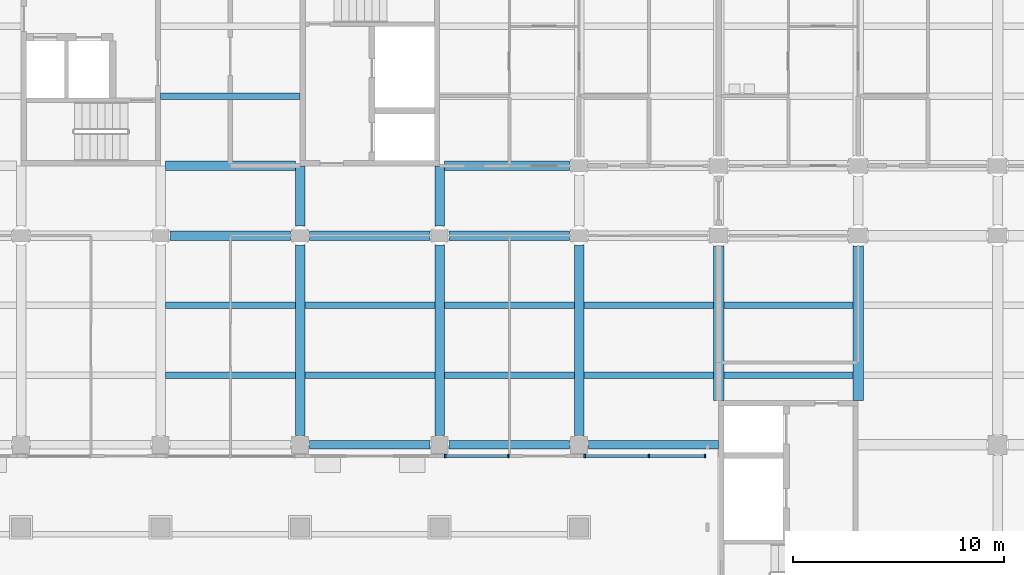
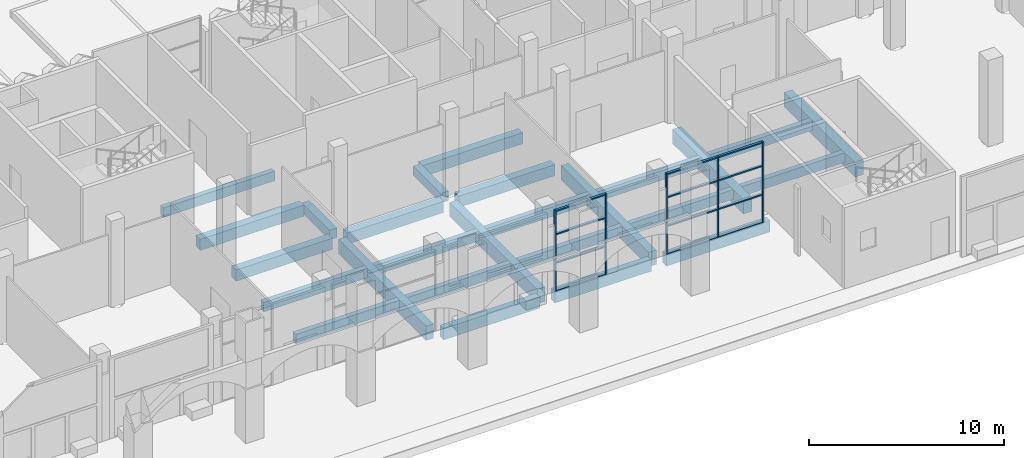
# One storey, part 4 of 85: 26 beams, 17 members, 2 elements without a shape of their own.
"""IFC4 building model written with IfcOpenShell, lengths in metres."""

from ifc_helpers import new_model, si_unit, direction, frame, origin, origin_2d, place, context, subcontext, project, spatial, rectangle, extrude, material, material_profile, profile_set, type_object, element, aggregate, save


model = new_model("IFC4")

# Units and contexts
model_context = context("Model", 3, precision=1e-05, world=origin(), true_north=direction((0.0, 1.0)))
body_context = subcontext(model_context, "Body", "Model", "MODEL_VIEW")
ifc_project = project(units=[si_unit("LENGTHUNIT", "METRE"), si_unit("AREAUNIT", "SQUARE_METRE"), si_unit("VOLUMEUNIT", "CUBIC_METRE"), si_unit("PLANEANGLEUNIT", "RADIAN"), si_unit("MASSUNIT", "GRAM", prefix="KILO")], contexts=[model_context])

# Site, building, storey
site_placement = place(None, origin())
site = spatial("IfcSite", under=ifc_project, at=site_placement, CompositionType="ELEMENT")
building_placement = place(site_placement, origin())
building = spatial("IfcBuilding", under=site, at=building_placement, Name="Lantern Court Research Institute", CompositionType="ELEMENT")
storey_placement = place(building_placement, origin())
storey = spatial("IfcBuildingStorey", under=building, at=storey_placement, Name="L00", CompositionType="ELEMENT", Elevation=0.0)

# Curtain wall, members
ifc_material_1 = material(Name="Aluminium alloy 6063-T6", Category="aluminium")
curtain_wall_type_1 = type_object("IfcCurtainWallType", Name="Curtain wall 3075 x 5100 x 150 aluminium frame", PredefinedType="NOTDEFINED", material=ifc_material_1)
curtain_wall_1_placement = place(storey_placement, origin())
curtain_wall_1 = element("IfcCurtainWall", 1, at=curtain_wall_1_placement, inside=storey, type_object=curtain_wall_type_1, Name="Curtain wall CW011", PredefinedType="NOTDEFINED")
ifc_material_2 = material(Name="Aluminium alloy 6063-T6", Category="aluminium")
ifc_material_profile_1 = material_profile(ifc_material_2, rectangle(XDim=0.14990234375, YDim=0.080078125, at=origin_2d()), Name="Mullion 150 x 80")
ifc_profile_set_1 = profile_set([ifc_material_profile_1], Name="Aluminium alloy 6063-T6")
member_type_1 = type_object("IfcMemberType", Name="Mullion 150 x 80 aluminium", PredefinedType="MULLION", material=ifc_profile_set_1)
member_1_placement = place(storey_placement, frame((39.864990234375, -0.52490234375, 0.0), z_axis=(0.0, 0.0, 1.0), x_axis=(0.0, -1.0, 0.0)))
member_1 = element("IfcMember", 2, at=member_1_placement, type_object=member_type_1, Name="CW011 mullion 1", PredefinedType="MULLION", context=body_context, shape_type="SweptSolid", body=[
    extrude(rectangle(XDim=0.14990234375, YDim=0.080078125, at=origin_2d()), origin(), (0.0, 0.0, 1.0), 5.10009765625),
])
member_2_placement = place(storey_placement, frame((42.860107421875, -0.52490234375, 0.0), z_axis=(0.0, 0.0, 1.0), x_axis=(0.0, -1.0, 0.0)))
member_2 = element("IfcMember", 3, at=member_2_placement, type_object=member_type_1, Name="CW011 mullion 2", PredefinedType="MULLION", context=body_context, shape_type="SweptSolid", body=[
    extrude(rectangle(XDim=0.14990234375, YDim=0.080078125, at=origin_2d()), origin(), (0.0, 0.0, 1.0), 5.10009765625),
])

ifc_material_3 = material(Name="Aluminium alloy 6063-T6", Category="aluminium")
curtain_wall_type_2 = type_object("IfcCurtainWallType", Name="Curtain wall 5775 x 5100 x 150 aluminium frame", PredefinedType="NOTDEFINED", material=ifc_material_3)
curtain_wall_2_placement = place(storey_placement, origin())
curtain_wall_2 = element("IfcCurtainWall", 4, at=curtain_wall_2_placement, inside=storey, type_object=curtain_wall_type_2, Name="Curtain wall CW012", PredefinedType="NOTDEFINED")
member_3_placement = place(storey_placement, frame((46.465087890625, -0.52490234375, 0.0), z_axis=(0.0, 0.0, 1.0), x_axis=(0.0, -1.0, 0.0)))
member_3 = element("IfcMember", 5, at=member_3_placement, type_object=member_type_1, Name="CW012 mullion 1", PredefinedType="MULLION", context=body_context, shape_type="SweptSolid", body=[
    extrude(rectangle(XDim=0.14990234375, YDim=0.080078125, at=origin_2d()), origin(), (0.0, 0.0, 1.0), 5.10009765625),
])
member_4_placement = place(storey_placement, frame((49.5, -0.52490234375, 0.0), z_axis=(0.0, 0.0, 1.0), x_axis=(0.0, -1.0, 0.0)))
member_4 = element("IfcMember", 6, at=member_4_placement, type_object=member_type_1, Name="CW012 mullion 2", PredefinedType="MULLION", context=body_context, shape_type="SweptSolid", body=[
    extrude(rectangle(XDim=0.14990234375, YDim=0.080078125, at=origin_2d()), origin(), (0.0, 0.0, 1.0), 5.10009765625),
])
member_5_placement = place(storey_placement, frame((52.159912109375, -0.52490234375, 0.0), z_axis=(0.0, 0.0, 1.0), x_axis=(0.0, -1.0, 0.0)))
member_5 = element("IfcMember", 7, at=member_5_placement, type_object=member_type_1, Name="CW012 mullion 3", PredefinedType="MULLION", context=body_context, shape_type="SweptSolid", body=[
    extrude(rectangle(XDim=0.14990234375, YDim=0.080078125, at=origin_2d()), origin(), (0.0, 0.0, 1.0), 5.10009765625),
])

# Beams
ifc_material_4 = material(Name="Concrete C40/50", Category="concrete")
ifc_material_profile_2 = material_profile(ifc_material_4, rectangle(XDim=0.449951171875, YDim=0.699951171875, at=origin_2d()), Name="RC beam 450 x 700")
ifc_profile_set_2 = profile_set([ifc_material_profile_2], Name="Concrete C40/50")
beam_type_1 = type_object("IfcBeamType", Name="RC beam 450 x 700", PredefinedType="BEAM", material=ifc_profile_set_2)
for number, where, z_axis, x_axis, name in (
    (8, (26.85009765625, 9.89990234375, -0.64990234375), (1.0, 0.0, 0.0), (0.0, 1.0, 0.0), "Beam L00 grid B/5-6"),
    (9, (33.449951171875, 9.89990234375, -0.64990234375), (1.0, 0.0, 0.0), (0.0, 1.0, 0.0), "Beam L00 grid B/6-7"),
    (10, (40.050048828125, 9.89990234375, -0.64990234375), (1.0, 0.0, 0.0), (0.0, 1.0, 0.0), "Beam L00 grid B/7-8"),
):
    element("IfcBeam", number, at=place(storey_placement, frame(where, z_axis=z_axis, x_axis=x_axis)), inside=storey, type_object=beam_type_1, Name=name, PredefinedType="BEAM", context=body_context, shape_type="SweptSolid", body=[
        extrude(rectangle(XDim=0.449951171875, YDim=0.699951171875, at=origin_2d()), origin(), (0.0, 0.0, 1.0), 5.699951171875),
    ])
beam_1_placement = place(storey_placement, frame((26.625, 13.199951171875, -0.64990234375), z_axis=(1.0, 0.0, 0.0), x_axis=(0.0, 1.0, 0.0)))
element("IfcBeam", 11, at=beam_1_placement, inside=storey, type_object=beam_type_1, Name="Beam L00 grid C/5-6", PredefinedType="BEAM", context=body_context, shape_type="SweptSolid", body=[
    extrude(rectangle(XDim=0.449951171875, YDim=0.699951171875, at=origin_2d()), origin(), (0.0, 0.0, 1.0), 6.14990234375),
])
beam_2_placement = place(storey_placement, frame((39.824951171875, 13.199951171875, -0.64990234375), z_axis=(1.0, 0.0, 0.0), x_axis=(0.0, 1.0, 0.0)))
element("IfcBeam", 12, at=beam_2_placement, inside=storey, type_object=beam_type_1, Name="Beam L00 grid C/7-8", PredefinedType="BEAM", context=body_context, shape_type="SweptSolid", body=[
    extrude(rectangle(XDim=0.449951171875, YDim=0.699951171875, at=origin_2d()), origin(), (0.0, 0.0, 1.0), 5.925048828125),
])
ifc_material_5 = material(Name="Concrete C40/50", Category="concrete")
ifc_material_profile_3 = material_profile(ifc_material_5, rectangle(XDim=0.39990234375, YDim=0.699951171875, at=origin_2d()), Name="RC beam 400 x 700")
ifc_profile_set_3 = profile_set([ifc_material_profile_3], Name="Concrete C40/50")
beam_type_2 = type_object("IfcBeamType", Name="RC edge beam 400 x 700", PredefinedType="BEAM", material=ifc_profile_set_3)
for number, where, z_axis, x_axis, name in (
    (13, (33.449951171875, 0.0, -0.64990234375), (1.0, 0.0, 0.0), (0.0, 1.0, 0.0), "Edge beam L00 grid A/6-7"),
    (14, (40.050048828125, 0.0, -0.64990234375), (1.0, 0.0, 0.0), (0.0, 1.0, 0.0), "Edge beam L00 grid A/7-8"),
):
    element("IfcBeam", number, at=place(storey_placement, frame(where, z_axis=z_axis, x_axis=x_axis)), inside=storey, type_object=beam_type_2, Name=name, PredefinedType="BEAM", context=body_context, shape_type="SweptSolid", body=[
        extrude(rectangle(XDim=0.39990234375, YDim=0.699951171875, at=origin_2d()), origin(), (0.0, 0.0, 1.0), 5.699951171875),
    ])
beam_3_placement = place(storey_placement, frame((46.64990234375, 0.0, -0.64990234375), z_axis=(1.0, 0.0, 0.0), x_axis=(0.0, 1.0, 0.0)))
element("IfcBeam", 15, at=beam_3_placement, inside=storey, type_object=beam_type_2, Name="Edge beam L00 grid A/8-9", PredefinedType="BEAM", context=body_context, shape_type="SweptSolid", body=[
    extrude(rectangle(XDim=0.39990234375, YDim=0.699951171875, at=origin_2d()), origin(), (0.0, 0.0, 1.0), 6.150146484375),
])
ifc_material_6 = material(Name="Concrete C40/50", Category="concrete")
ifc_material_profile_4 = material_profile(ifc_material_6, rectangle(XDim=0.449951171875, YDim=0.89990234375, at=origin_2d()), Name="RC beam 450 x 900")
ifc_profile_set_4 = profile_set([ifc_material_profile_4], Name="Concrete C40/50")
beam_type_3 = type_object("IfcBeamType", Name="RC girder 450 x 900", PredefinedType="BEAM", material=ifc_profile_set_4)
for number, where, z_axis, x_axis, name in (
    (16, (33.0, 0.449951171875, -0.75), (0.0, 1.0, 0.0), (-1.0, 0.0, 0.0), "Girder L00 grid 6/A-B"),
    (17, (39.60009765625, 0.449951171875, -0.75), (0.0, 1.0, 0.0), (-1.0, 0.0, 0.0), "Girder L00 grid 7/A-B"),
    (18, (46.199951171875, 0.449951171875, -0.75), (0.0, 1.0, 0.0), (-1.0, 0.0, 0.0), "Girder L00 grid 8/A-B"),
):
    element("IfcBeam", number, at=place(storey_placement, frame(where, z_axis=z_axis, x_axis=x_axis)), inside=storey, type_object=beam_type_3, Name=name, PredefinedType="BEAM", context=body_context, shape_type="SweptSolid", body=[
        extrude(rectangle(XDim=0.449951171875, YDim=0.89990234375, at=origin_2d()), origin(), (0.0, 0.0, 1.0), 9.0),
    ])
ifc_material_7 = material(Name="Concrete C40/50", Category="concrete")
ifc_material_profile_5 = material_profile(ifc_material_7, rectangle(XDim=0.5, YDim=0.89990234375, at=origin_2d()), Name="RC beam 500 x 900")
ifc_profile_set_5 = profile_set([ifc_material_profile_5], Name="Concrete C40/50")
beam_type_4 = type_object("IfcBeamType", Name="RC girder 500 x 900", PredefinedType="BEAM", material=ifc_profile_set_5)
for number, where, z_axis, x_axis, name in (
    (19, (52.800048828125, 2.10009765625, -0.75), (0.0, 1.0, 0.0), (-1.0, 0.0, 0.0), "Girder L00 grid 9/A-B"),
    (20, (59.39990234375, 2.10009765625, -0.75), (0.0, 1.0, 0.0), (-1.0, 0.0, 0.0), "Girder L00 grid 10/A-B"),
):
    element("IfcBeam", number, at=place(storey_placement, frame(where, z_axis=z_axis, x_axis=x_axis)), inside=storey, type_object=beam_type_4, Name=name, PredefinedType="BEAM", context=body_context, shape_type="SweptSolid", body=[
        extrude(rectangle(XDim=0.5, YDim=0.89990234375, at=origin_2d()), origin(), (0.0, 0.0, 1.0), 7.2998046875),
    ])
ifc_material_8 = material(Name="Concrete C40/50", Category="concrete")
ifc_material_profile_6 = material_profile(ifc_material_8, rectangle(XDim=0.300048828125, YDim=0.60009765625, at=origin_2d()), Name="RC beam 300 x 600")
ifc_profile_set_6 = profile_set([ifc_material_profile_6], Name="Concrete C40/50")
beam_type_5 = type_object("IfcBeamType", Name="RC secondary beam 300 x 600", PredefinedType="BEAM", material=ifc_profile_set_6)
for number, where, z_axis, x_axis, name in (
    (21, (26.625, 3.300048828125, -0.60009765625), (1.0, 0.0, 0.0), (0.0, 1.0, 0.0), "Secondary beam L00 grids 5-6 / A-B, line 1"),
    (22, (33.22509765625, 3.300048828125, -0.60009765625), (1.0, 0.0, 0.0), (0.0, 1.0, 0.0), "Secondary beam L00 grids 6-7 / A-B, line 1"),
):
    element("IfcBeam", number, at=place(storey_placement, frame(where, z_axis=z_axis, x_axis=x_axis)), inside=storey, type_object=beam_type_5, Name=name, PredefinedType="BEAM", context=body_context, shape_type="SweptSolid", body=[
        extrude(rectangle(XDim=0.300048828125, YDim=0.60009765625, at=origin_2d()), origin(), (0.0, 0.0, 1.0), 6.14990234375),
    ])
beam_4_placement = place(storey_placement, frame((39.824951171875, 3.300048828125, -0.60009765625), z_axis=(1.0, 0.0, 0.0), x_axis=(0.0, 1.0, 0.0)))
element("IfcBeam", 23, at=beam_4_placement, inside=storey, type_object=beam_type_5, Name="Secondary beam L00 grids 7-8 / A-B, line 1", PredefinedType="BEAM", context=body_context, shape_type="SweptSolid", body=[
    extrude(rectangle(XDim=0.300048828125, YDim=0.60009765625, at=origin_2d()), origin(), (0.0, 0.0, 1.0), 6.150146484375),
])
beam_5_placement = place(storey_placement, frame((46.425048828125, 3.300048828125, -0.60009765625), z_axis=(1.0, 0.0, 0.0), x_axis=(0.0, 1.0, 0.0)))
element("IfcBeam", 24, at=beam_5_placement, inside=storey, type_object=beam_type_5, Name="Secondary beam L00 grids 8-9 / A-B, line 1", PredefinedType="BEAM", context=body_context, shape_type="SweptSolid", body=[
    extrude(rectangle(XDim=0.300048828125, YDim=0.60009765625, at=origin_2d()), origin(), (0.0, 0.0, 1.0), 6.125),
])
for number, where, z_axis, x_axis, name in (
    (25, (26.625, 6.60009765625, -0.60009765625), (1.0, 0.0, 0.0), (0.0, 1.0, 0.0), "Secondary beam L00 grids 5-6 / A-B, line 2"),
    (26, (33.22509765625, 6.60009765625, -0.60009765625), (1.0, 0.0, 0.0), (0.0, 1.0, 0.0), "Secondary beam L00 grids 6-7 / A-B, line 2"),
):
    element("IfcBeam", number, at=place(storey_placement, frame(where, z_axis=z_axis, x_axis=x_axis)), inside=storey, type_object=beam_type_5, Name=name, PredefinedType="BEAM", context=body_context, shape_type="SweptSolid", body=[
        extrude(rectangle(XDim=0.300048828125, YDim=0.60009765625, at=origin_2d()), origin(), (0.0, 0.0, 1.0), 6.14990234375),
    ])
beam_6_placement = place(storey_placement, frame((39.824951171875, 6.60009765625, -0.60009765625), z_axis=(1.0, 0.0, 0.0), x_axis=(0.0, 1.0, 0.0)))
element("IfcBeam", 27, at=beam_6_placement, inside=storey, type_object=beam_type_5, Name="Secondary beam L00 grids 7-8 / A-B, line 2", PredefinedType="BEAM", context=body_context, shape_type="SweptSolid", body=[
    extrude(rectangle(XDim=0.300048828125, YDim=0.60009765625, at=origin_2d()), origin(), (0.0, 0.0, 1.0), 6.150146484375),
])
beam_7_placement = place(storey_placement, frame((46.425048828125, 6.60009765625, -0.60009765625), z_axis=(1.0, 0.0, 0.0), x_axis=(0.0, 1.0, 0.0)))
element("IfcBeam", 28, at=beam_7_placement, inside=storey, type_object=beam_type_5, Name="Secondary beam L00 grids 8-9 / A-B, line 2", PredefinedType="BEAM", context=body_context, shape_type="SweptSolid", body=[
    extrude(rectangle(XDim=0.300048828125, YDim=0.60009765625, at=origin_2d()), origin(), (0.0, 0.0, 1.0), 6.125),
])
beam_8_placement = place(storey_placement, frame((26.39990234375, 16.5, -0.60009765625), z_axis=(1.0, 0.0, 0.0), x_axis=(0.0, 1.0, 0.0)))
element("IfcBeam", 29, at=beam_8_placement, inside=storey, type_object=beam_type_5, Name="Secondary beam L00 grids 5-6 / C-D, line 1", PredefinedType="BEAM", context=body_context, shape_type="SweptSolid", body=[
    extrude(rectangle(XDim=0.300048828125, YDim=0.60009765625, at=origin_2d()), origin(), (0.0, 0.0, 1.0), 6.60009765625),
])
for number, where, z_axis, x_axis, name in (
    (30, (53.050048828125, 3.300048828125, -0.60009765625), (1.0, 0.0, 0.0), (0.0, 1.0, 0.0), "Secondary beam L00 grids 9-10 / A-B, line 1"),
    (31, (53.050048828125, 6.60009765625, -0.60009765625), (1.0, 0.0, 0.0), (0.0, 1.0, 0.0), "Secondary beam L00 grids 9-10 / A-B, line 2"),
):
    element("IfcBeam", number, at=place(storey_placement, frame(where, z_axis=z_axis, x_axis=x_axis)), inside=storey, type_object=beam_type_5, Name=name, PredefinedType="BEAM", context=body_context, shape_type="SweptSolid", body=[
        extrude(rectangle(XDim=0.300048828125, YDim=0.60009765625, at=origin_2d()), origin(), (0.0, 0.0, 1.0), 6.099853515625),
    ])
ifc_material_9 = material(Name="Concrete C40/50", Category="concrete")
ifc_material_profile_7 = material_profile(ifc_material_9, rectangle(XDim=0.449951171875, YDim=0.60009765625, at=origin_2d()), Name="RC beam 450 x 600")
ifc_profile_set_7 = profile_set([ifc_material_profile_7], Name="Concrete C40/50")
beam_type_6 = type_object("IfcBeamType", Name="RC spine beam 450 x 600", PredefinedType="BEAM", material=ifc_profile_set_7)
for number, where, z_axis, x_axis, name in (
    (32, (33.0, 10.35009765625, -0.60009765625), (0.0, 1.0, 0.0), (-1.0, 0.0, 0.0), "Beam L00 grid 6/B-C"),
    (33, (39.60009765625, 10.35009765625, -0.60009765625), (0.0, 1.0, 0.0), (-1.0, 0.0, 0.0), "Beam L00 grid 7/B-C"),
):
    element("IfcBeam", number, at=place(storey_placement, frame(where, z_axis=z_axis, x_axis=x_axis)), inside=storey, type_object=beam_type_6, Name=name, PredefinedType="BEAM", context=body_context, shape_type="SweptSolid", body=[
        extrude(rectangle(XDim=0.449951171875, YDim=0.60009765625, at=origin_2d()), origin(), (0.0, 0.0, 1.0), 2.849853515625),
    ])

# Member
ifc_material_10 = material(Name="Aluminium alloy 6063-T6", Category="aluminium")
ifc_material_profile_8 = material_profile(ifc_material_10, rectangle(XDim=0.14990234375, YDim=0.080078125, at=origin_2d()), Name="Transom 150 x 80")
ifc_profile_set_8 = profile_set([ifc_material_profile_8], Name="Aluminium alloy 6063-T6")
member_type_2 = type_object("IfcMemberType", Name="Transom 150 x 80 aluminium", PredefinedType="USERDEFINED", material=ifc_profile_set_8)
member_6_placement = place(storey_placement, frame((42.820068359375, -0.52490234375, 0.0400390625), z_axis=(-1.0, 0.0, 0.0), x_axis=(0.0, -1.0, 0.0)))
member_6 = element("IfcMember", 34, at=member_6_placement, type_object=member_type_2, Name="CW011 transom 1.1", ObjectType="TRANSOM", PredefinedType="USERDEFINED", context=body_context, shape_type="SweptSolid", body=[
    extrude(rectangle(XDim=0.14990234375, YDim=0.080078125, at=origin_2d()), origin(), (0.0, 0.0, 1.0), 2.9150390625),
])

member_7_placement = place(storey_placement, frame((42.820068359375, -0.52490234375, 1.800048828125), z_axis=(-1.0, 0.0, 0.0), x_axis=(0.0, -1.0, 0.0)))
member_7 = element("IfcMember", 35, at=member_7_placement, type_object=member_type_2, Name="CW011 transom 1.2", ObjectType="TRANSOM", PredefinedType="USERDEFINED", context=body_context, shape_type="SweptSolid", body=[
    extrude(rectangle(XDim=0.14990234375, YDim=0.080078125, at=origin_2d()), origin(), (0.0, 0.0, 1.0), 2.9150390625),
])

member_8_placement = place(storey_placement, frame((42.820068359375, -0.52490234375, 3.60009765625), z_axis=(-1.0, 0.0, 0.0), x_axis=(0.0, -1.0, 0.0)))
member_8 = element("IfcMember", 36, at=member_8_placement, type_object=member_type_2, Name="CW011 transom 1.3", ObjectType="TRANSOM", PredefinedType="USERDEFINED", context=body_context, shape_type="SweptSolid", body=[
    extrude(rectangle(XDim=0.14990234375, YDim=0.080078125, at=origin_2d()), origin(), (0.0, 0.0, 1.0), 2.9150390625),
])

member_9_placement = place(storey_placement, frame((42.820068359375, -0.52490234375, 5.06005859375), z_axis=(-1.0, 0.0, 0.0), x_axis=(0.0, -1.0, 0.0)))
member_9 = element("IfcMember", 37, at=member_9_placement, type_object=member_type_2, Name="CW011 transom 1.4", ObjectType="TRANSOM", PredefinedType="USERDEFINED", context=body_context, shape_type="SweptSolid", body=[
    extrude(rectangle(XDim=0.14990234375, YDim=0.080078125, at=origin_2d()), origin(), (0.0, 0.0, 1.0), 2.9150390625),
])

aggregate(curtain_wall_1, [member_1, member_2, member_6, member_7, member_8, member_9])

member_10_placement = place(storey_placement, frame((49.4599609375, -0.52490234375, 0.0400390625), z_axis=(-1.0, 0.0, 0.0), x_axis=(0.0, -1.0, 0.0)))
member_10 = element("IfcMember", 38, at=member_10_placement, type_object=member_type_2, Name="CW012 transom 1.1", ObjectType="TRANSOM", PredefinedType="USERDEFINED", context=body_context, shape_type="SweptSolid", body=[
    extrude(rectangle(XDim=0.14990234375, YDim=0.080078125, at=origin_2d()), origin(), (0.0, 0.0, 1.0), 2.955078125),
])

member_11_placement = place(storey_placement, frame((49.4599609375, -0.52490234375, 1.800048828125), z_axis=(-1.0, 0.0, 0.0), x_axis=(0.0, -1.0, 0.0)))
member_11 = element("IfcMember", 39, at=member_11_placement, type_object=member_type_2, Name="CW012 transom 1.2", ObjectType="TRANSOM", PredefinedType="USERDEFINED", context=body_context, shape_type="SweptSolid", body=[
    extrude(rectangle(XDim=0.14990234375, YDim=0.080078125, at=origin_2d()), origin(), (0.0, 0.0, 1.0), 2.955078125),
])

member_12_placement = place(storey_placement, frame((49.4599609375, -0.52490234375, 3.60009765625), z_axis=(-1.0, 0.0, 0.0), x_axis=(0.0, -1.0, 0.0)))
member_12 = element("IfcMember", 40, at=member_12_placement, type_object=member_type_2, Name="CW012 transom 1.3", ObjectType="TRANSOM", PredefinedType="USERDEFINED", context=body_context, shape_type="SweptSolid", body=[
    extrude(rectangle(XDim=0.14990234375, YDim=0.080078125, at=origin_2d()), origin(), (0.0, 0.0, 1.0), 2.955078125),
])

member_13_placement = place(storey_placement, frame((49.4599609375, -0.52490234375, 5.06005859375), z_axis=(-1.0, 0.0, 0.0), x_axis=(0.0, -1.0, 0.0)))
member_13 = element("IfcMember", 41, at=member_13_placement, type_object=member_type_2, Name="CW012 transom 1.4", ObjectType="TRANSOM", PredefinedType="USERDEFINED", context=body_context, shape_type="SweptSolid", body=[
    extrude(rectangle(XDim=0.14990234375, YDim=0.080078125, at=origin_2d()), origin(), (0.0, 0.0, 1.0), 2.955078125),
])

member_14_placement = place(storey_placement, frame((52.1201171875, -0.52490234375, 0.0400390625), z_axis=(-1.0, 0.0, 0.0), x_axis=(0.0, -1.0, 0.0)))
member_14 = element("IfcMember", 42, at=member_14_placement, type_object=member_type_2, Name="CW012 transom 2.1", ObjectType="TRANSOM", PredefinedType="USERDEFINED", context=body_context, shape_type="SweptSolid", body=[
    extrude(rectangle(XDim=0.14990234375, YDim=0.080078125, at=origin_2d()), origin(), (0.0, 0.0, 1.0), 2.580078125),
])

member_15_placement = place(storey_placement, frame((52.1201171875, -0.52490234375, 1.800048828125), z_axis=(-1.0, 0.0, 0.0), x_axis=(0.0, -1.0, 0.0)))
member_15 = element("IfcMember", 43, at=member_15_placement, type_object=member_type_2, Name="CW012 transom 2.2", ObjectType="TRANSOM", PredefinedType="USERDEFINED", context=body_context, shape_type="SweptSolid", body=[
    extrude(rectangle(XDim=0.14990234375, YDim=0.080078125, at=origin_2d()), origin(), (0.0, 0.0, 1.0), 2.580078125),
])

member_16_placement = place(storey_placement, frame((52.1201171875, -0.52490234375, 3.60009765625), z_axis=(-1.0, 0.0, 0.0), x_axis=(0.0, -1.0, 0.0)))
member_16 = element("IfcMember", 44, at=member_16_placement, type_object=member_type_2, Name="CW012 transom 2.3", ObjectType="TRANSOM", PredefinedType="USERDEFINED", context=body_context, shape_type="SweptSolid", body=[
    extrude(rectangle(XDim=0.14990234375, YDim=0.080078125, at=origin_2d()), origin(), (0.0, 0.0, 1.0), 2.580078125),
])

member_17_placement = place(storey_placement, frame((52.1201171875, -0.52490234375, 5.06005859375), z_axis=(-1.0, 0.0, 0.0), x_axis=(0.0, -1.0, 0.0)))
member_17 = element("IfcMember", 45, at=member_17_placement, type_object=member_type_2, Name="CW012 transom 2.4", ObjectType="TRANSOM", PredefinedType="USERDEFINED", context=body_context, shape_type="SweptSolid", body=[
    extrude(rectangle(XDim=0.14990234375, YDim=0.080078125, at=origin_2d()), origin(), (0.0, 0.0, 1.0), 2.580078125),
])

aggregate(curtain_wall_2, [member_3, member_4, member_5, member_10, member_11, member_12, member_13, member_14, member_15, member_16, member_17])

save(model, "model.ifc")
